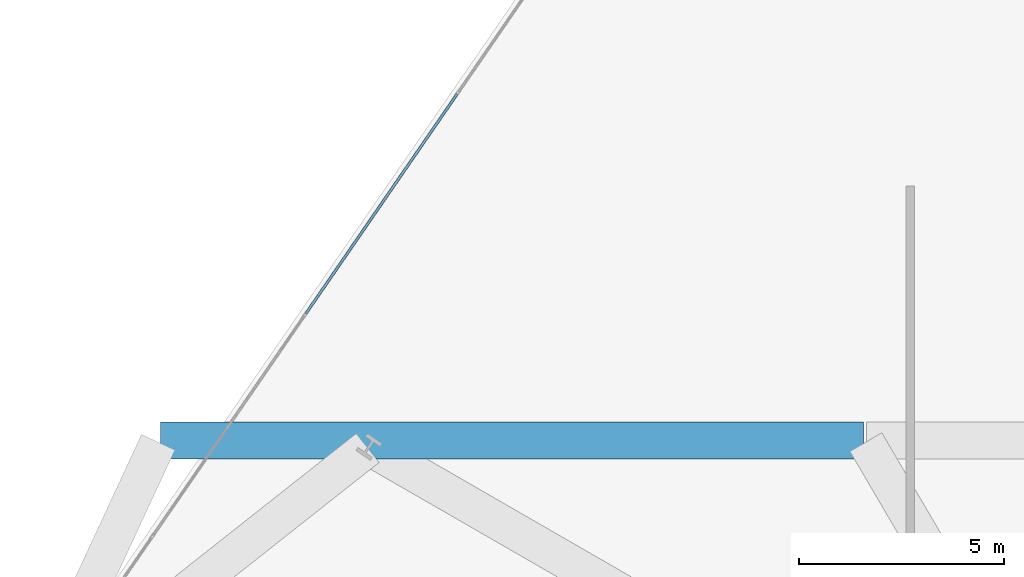
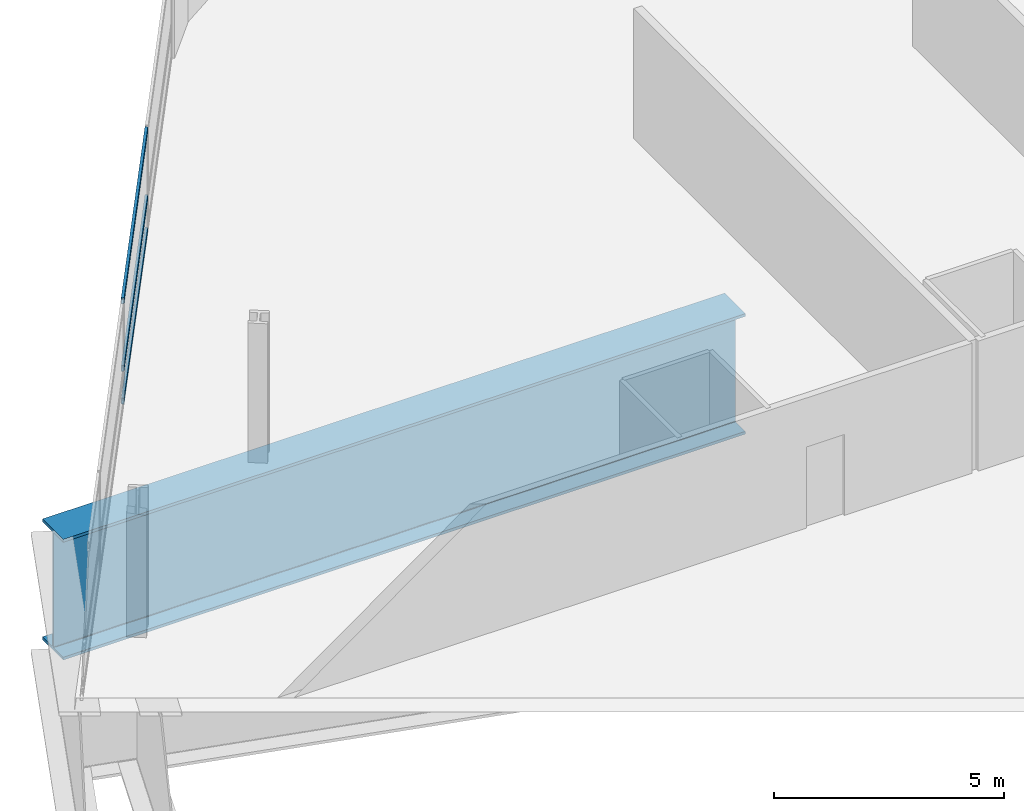
# One storey, part 15 of 26: 3 members, 1 beam, 1 element without a shape of its own.
"""IFC4 building model written with IfcOpenShell, lengths in metres."""

from ifc_helpers import new_model, si_unit, direction, frame, origin, origin_2d, place, context, subcontext, project, spatial, hollow_rectangle, i_section, extrude, material, layer, layer_set, material_profile, profile_set, type_object, element, aggregate, save


model = new_model("IFC4")

# Units and contexts
model_context = context("Model", 3, precision=1e-05, world=origin(), true_north=direction((0.0, 1.0)))
body_context = subcontext(model_context, "Body", "Model", "MODEL_VIEW")
ifc_project = project(units=[si_unit("LENGTHUNIT", "METRE"), si_unit("AREAUNIT", "SQUARE_METRE"), si_unit("VOLUMEUNIT", "CUBIC_METRE"), si_unit("PLANEANGLEUNIT", "RADIAN"), si_unit("MASSUNIT", "GRAM", prefix="KILO")], contexts=[model_context])

# Site, building, storey
site_placement = place(None, origin())
site = spatial("IfcSite", under=ifc_project, at=site_placement, CompositionType="ELEMENT")
building_placement = place(site_placement, origin())
building = spatial("IfcBuilding", under=site, at=building_placement, Name="Varnelok Gate Tower", CompositionType="ELEMENT")
storey_placement = place(building_placement, frame((0.0, 0.0, 27.0)))
storey = spatial("IfcBuildingStorey", under=building, at=storey_placement, Name="L05", CompositionType="ELEMENT", Elevation=27.0)

# Beam
ifc_material_1 = material(Name="Structural Steel ASTM A572 Grade 50", Category="steel")
ifc_material_profile_1 = material_profile(ifc_material_1, i_section(OverallWidth=0.89990234375, OverallDepth=3.199951171875, WebThickness=0.0400390625, FlangeThickness=0.074951171875, FilletRadius=0.030029296875, at=origin_2d()), Name="PG3200X900")
ifc_profile_set_1 = profile_set([ifc_material_profile_1], Name="Structural Steel ASTM A572 Grade 50")
beam_type = type_object("IfcBeamType", Name="BM-TR-PG3200", PredefinedType="BEAM", material=ifc_profile_set_1)
beam_placement = place(storey_placement, frame((24.360107421875, 49.800048828125, -1.85009765625), z_axis=(-1.0, 0.0, 0.0), x_axis=(0.0, -1.0, 0.0)))
element("IfcBeam", 1, at=beam_placement, inside=storey, type_object=beam_type, Name="L05 Transfer Support Ring Girder 9", PredefinedType="BEAM", context=body_context, shape_type="SweptSolid", body=[
    extrude(i_section(OverallWidth=0.89990234375, OverallDepth=3.199951171875, WebThickness=0.0400390625, FlangeThickness=0.074951171875, FilletRadius=0.030029296875, at=origin_2d()), origin(), (0.0, 0.0, 1.0), 17.1201171875),
])

# Curtain wall, members
ifc_material_2 = material(Name="Anodized Aluminum Alloy 6063-T6", Category="aluminium")
ifc_layer = layer(ifc_material_2, 0.179931640625)
ifc_layer_set = layer_set([ifc_layer], Name="Anodized Aluminum Alloy 6063-T6")
curtain_wall_type = type_object("IfcCurtainWallType", Name="CW3-HOTEL-VISION", PredefinedType="USERDEFINED", material=ifc_layer_set)
curtain_wall_placement = place(storey_placement, origin())
curtain_wall = element("IfcCurtainWall", 2, at=curtain_wall_placement, inside=storey, type_object=curtain_wall_type, Name="L05 West End Vision Curtain Wall", ObjectType="UNITISED CURTAIN WALL", PredefinedType="USERDEFINED")
ifc_material_profile_2 = material_profile(ifc_material_2, hollow_rectangle(XDim=0.06494140625, YDim=0.159912109375, WallThickness=0.00390625, at=origin_2d()), Name="ALU160X65X4")
ifc_profile_set_2 = profile_set([ifc_material_profile_2], Name="Anodized Aluminum Alloy 6063-T6")
member_type = type_object("IfcMemberType", Name="CW-TRAN-160", PredefinedType="USERDEFINED", material=ifc_profile_set_2)
member_1_placement = place(storey_placement, frame((10.7763671875, 52.89208984375, 0.032470703125), z_axis=(0.567261662339, 0.823537616894, 0.0), x_axis=(-0.823537616894, 0.567261662339, 0.0)))
member_1 = element("IfcMember", 3, at=member_1_placement, type_object=member_type, Name="CW3 transom 5.1", ObjectType="TRANSOM", PredefinedType="USERDEFINED", context=body_context, shape_type="SweptSolid", body=[
    extrude(hollow_rectangle(XDim=0.06494140625, YDim=0.159912109375, WallThickness=0.00390625, at=origin_2d()), origin(), (0.0, 0.0, 1.0), 6.501708984375),
])
member_2_placement = place(storey_placement, frame((10.7763671875, 52.89208984375, 0.89990234375), z_axis=(0.567261662339, 0.823537616894, 0.0), x_axis=(-0.823537616894, 0.567261662339, 0.0)))
member_2 = element("IfcMember", 4, at=member_2_placement, type_object=member_type, Name="CW3 transom 5.2", ObjectType="TRANSOM", PredefinedType="USERDEFINED", context=body_context, shape_type="SweptSolid", body=[
    extrude(hollow_rectangle(XDim=0.06494140625, YDim=0.159912109375, WallThickness=0.00390625, at=origin_2d()), origin(), (0.0, 0.0, 1.0), 6.501708984375),
])
member_3_placement = place(storey_placement, frame((10.7763671875, 52.89208984375, 2.697509765625), z_axis=(0.567261662339, 0.823537616894, 0.0), x_axis=(-0.823537616894, 0.567261662339, 0.0)))
member_3 = element("IfcMember", 5, at=member_3_placement, type_object=member_type, Name="CW3 transom 5.3", ObjectType="TRANSOM", PredefinedType="USERDEFINED", context=body_context, shape_type="SweptSolid", body=[
    extrude(hollow_rectangle(XDim=0.06494140625, YDim=0.159912109375, WallThickness=0.00390625, at=origin_2d()), origin(), (0.0, 0.0, 1.0), 6.501708984375),
])
aggregate(curtain_wall, [member_1, member_2, member_3])

save(model, "model.ifc")
